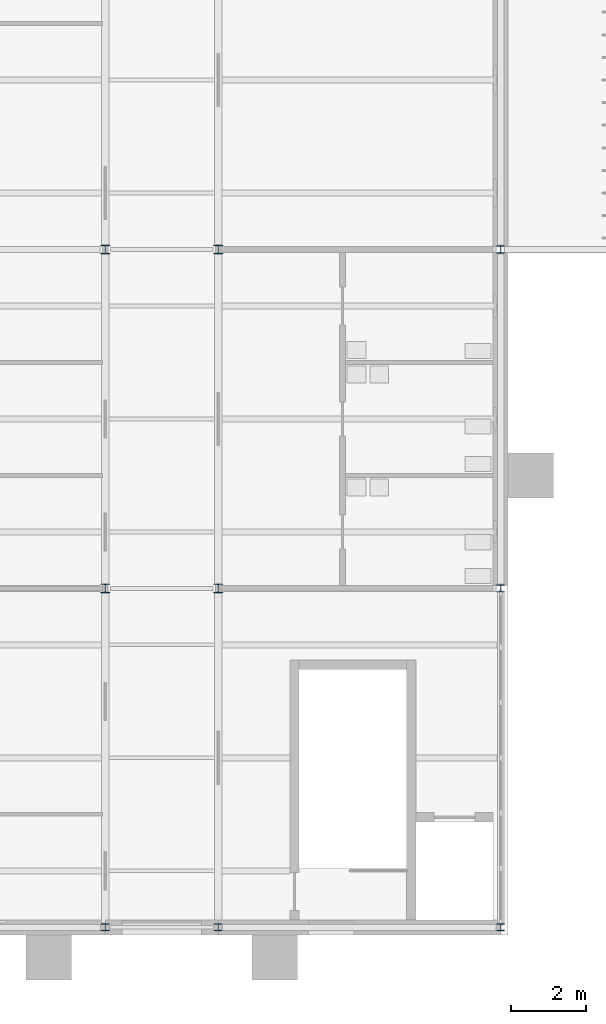
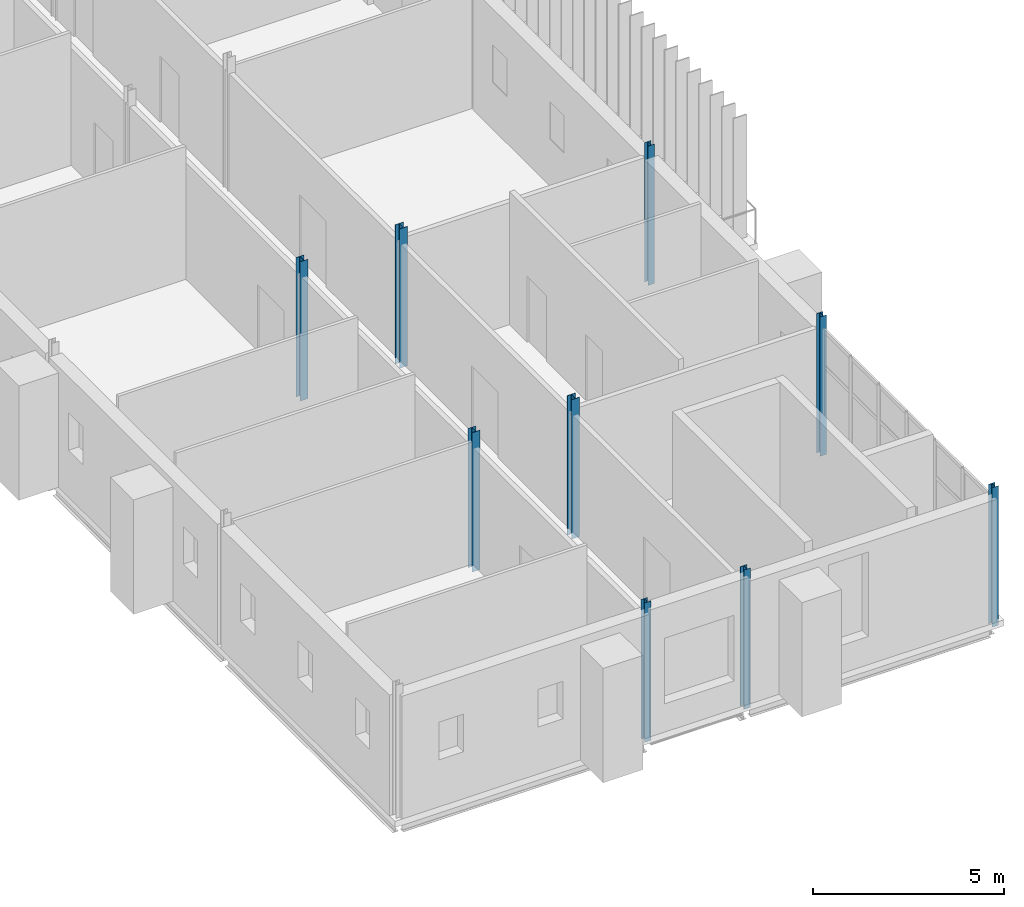
# One storey, part 17 of 131: 9 columns.
"""IFC4 building model written with IfcOpenShell, lengths in metres."""

from ifc_helpers import new_model, si_unit, direction, frame, origin, origin_2d, place, context, subcontext, project, spatial, i_section, extrude, material, material_profile, profile_set, type_object, element, save


model = new_model("IFC4")

# Units and contexts
model_context = context("Model", 3, precision=1e-05, world=origin(), true_north=direction((0.0, 1.0)))
body_context = subcontext(model_context, "Body", "Model", "MODEL_VIEW")
ifc_project = project(units=[si_unit("LENGTHUNIT", "METRE"), si_unit("AREAUNIT", "SQUARE_METRE"), si_unit("VOLUMEUNIT", "CUBIC_METRE"), si_unit("PLANEANGLEUNIT", "RADIAN"), si_unit("MASSUNIT", "GRAM", prefix="KILO")], contexts=[model_context])

# Site, building, storey
site_placement = place(None, origin())
site = spatial("IfcSite", under=ifc_project, at=site_placement, CompositionType="ELEMENT")
building_placement = place(site_placement, origin())
building = spatial("IfcBuilding", under=site, at=building_placement, Name="Golden Quay Civic Hall", CompositionType="ELEMENT")
storey_placement = place(building_placement, frame((0.0, 0.0, 9.89990234375)))
storey = spatial("IfcBuildingStorey", under=building, at=storey_placement, Name="L02", CompositionType="ELEMENT", Elevation=9.89990234375)

# Columns
ifc_material_1 = material(Name="Steel S355", Category="steel")
ifc_material_profile_1 = material_profile(ifc_material_1, i_section(OverallWidth=0.199951171875, OverallDepth=0.18994140625, WebThickness=0.006591796875, FlangeThickness=0.010009765625, FilletRadius=0.01806640625, at=origin_2d()), Name="HEA 200")
ifc_profile_set_1 = profile_set([ifc_material_profile_1], Name="Steel S355")
column_type_1 = type_object("IfcColumnType", Name="Steel column HEA 200", PredefinedType="COLUMN", material=ifc_profile_set_1)
for number, where, z_axis, x_axis, name in (
    (1, (160.5, -9.0, -0.199951171875), (0.0, 0.0, 1.0), (1.0, 0.0, 0.0), "Column 160.5/-9 L02"),
    (2, (163.5, -9.0, -0.199951171875), (0.0, 0.0, 1.0), (1.0, 0.0, 0.0), "Column 163.5/-9 L02"),
    (3, (171.0, -9.0, -0.199951171875), (0.0, 0.0, 1.0), (1.0, 0.0, 0.0), "Column 171/-9 L02"),
    (4, (171.0, 0.0, -0.199951171875), (0.0, 0.0, 1.0), (1.0, 0.0, 0.0), "Column 171/0 L02"),
    (5, (171.0, 9.0, -0.199951171875), (0.0, 0.0, 1.0), (1.0, 0.0, 0.0), "Column 171/9 L02"),
):
    element("IfcColumn", number, at=place(storey_placement, frame(where, z_axis=z_axis, x_axis=x_axis)), inside=storey, type_object=column_type_1, Name=name, PredefinedType="COLUMN", context=body_context, shape_type="SweptSolid", body=[
        extrude(i_section(OverallWidth=0.199951171875, OverallDepth=0.18994140625, WebThickness=0.006591796875, FlangeThickness=0.010009765625, FilletRadius=0.01806640625, at=origin_2d()), origin(), (0.0, 0.0, 1.0), 4.449951171875),
    ])
ifc_material_2 = material(Name="Steel S355", Category="steel")
ifc_material_profile_2 = material_profile(ifc_material_2, i_section(OverallWidth=0.239990234375, OverallDepth=0.22998046875, WebThickness=0.007568359375, FlangeThickness=0.011962890625, FilletRadius=0.02099609375, at=origin_2d()), Name="HEA 240")
ifc_profile_set_2 = profile_set([ifc_material_profile_2], Name="Steel S355")
column_type_2 = type_object("IfcColumnType", Name="Steel column HEA 240", PredefinedType="COLUMN", material=ifc_profile_set_2)
for number, where, z_axis, x_axis, name in (
    (6, (160.5, 0.0, -0.199951171875), (0.0, 0.0, 1.0), (1.0, 0.0, 0.0), "Column 160.5/0 L02"),
    (7, (160.5, 9.0, -0.199951171875), (0.0, 0.0, 1.0), (1.0, 0.0, 0.0), "Column 160.5/9 L02"),
    (8, (163.5, 0.0, -0.199951171875), (0.0, 0.0, 1.0), (1.0, 0.0, 0.0), "Column 163.5/0 L02"),
    (9, (163.5, 9.0, -0.199951171875), (0.0, 0.0, 1.0), (1.0, 0.0, 0.0), "Column 163.5/9 L02"),
):
    element("IfcColumn", number, at=place(storey_placement, frame(where, z_axis=z_axis, x_axis=x_axis)), inside=storey, type_object=column_type_2, Name=name, PredefinedType="COLUMN", context=body_context, shape_type="SweptSolid", body=[
        extrude(i_section(OverallWidth=0.239990234375, OverallDepth=0.22998046875, WebThickness=0.007568359375, FlangeThickness=0.011962890625, FilletRadius=0.02099609375, at=origin_2d()), origin(), (0.0, 0.0, 1.0), 4.449951171875),
    ])

save(model, "model.ifc")
